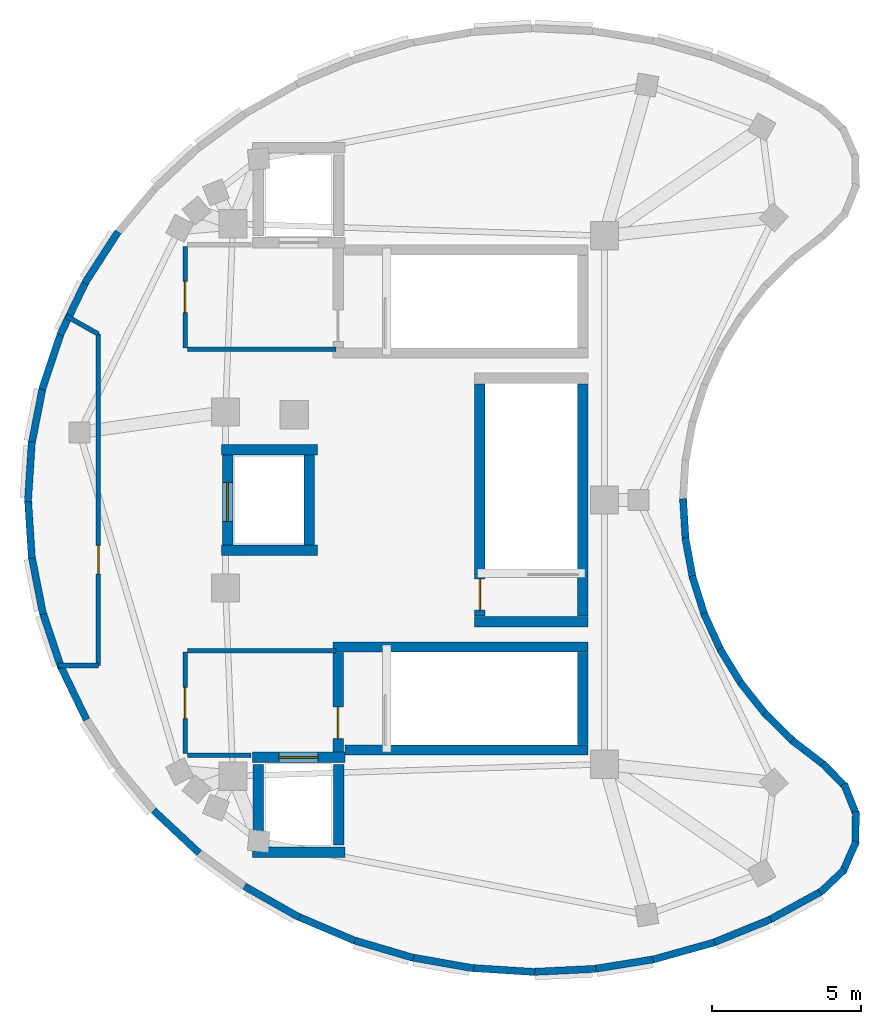
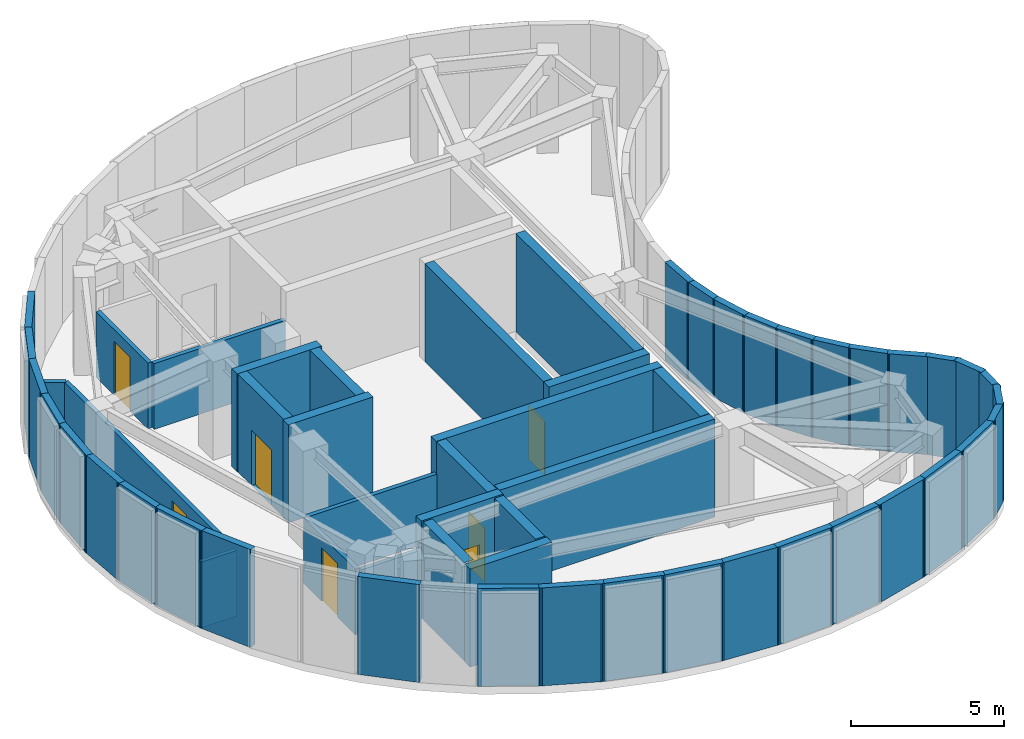
# One storey, part 2 of 4: 56 walls, 7 doors, 7 openings.
"""IFC4 building model written with IfcOpenShell, lengths in metres."""

from ifc_helpers import new_model, si_unit, direction, frame, frame_2d, origin, place, context, subcontext, project, spatial, rectangle, extrude, material, layer, layer_set, type_object, element, fill, save


model = new_model("IFC4")

# Units and contexts
model_context = context("Model", 3, precision=1e-05, world=origin(), true_north=direction((0.0, 1.0)))
body_context = subcontext(model_context, "Body", "Model", "MODEL_VIEW")
ifc_project = project(units=[si_unit("LENGTHUNIT", "METRE"), si_unit("AREAUNIT", "SQUARE_METRE"), si_unit("VOLUMEUNIT", "CUBIC_METRE"), si_unit("PLANEANGLEUNIT", "RADIAN"), si_unit("MASSUNIT", "GRAM", prefix="KILO")], contexts=[model_context])

# Site, building, storey
site_placement = place(None, origin())
site = spatial("IfcSite", under=ifc_project, at=site_placement, CompositionType="ELEMENT")
building_placement = place(site_placement, origin())
building = spatial("IfcBuilding", under=site, at=building_placement, Name="Korentha Bioscience Tower", CompositionType="ELEMENT")
storey_placement = place(building_placement, frame((0.0, 0.0, 339.60009765625)))
storey = spatial("IfcBuildingStorey", under=building, at=storey_placement, Name="L78", CompositionType="ELEMENT", Elevation=339.60009765625)

# Wall, opening, door
ifc_material_1 = material(Name="Gypsum-Clad Steel Stud", Category="steel")
ifc_layer_1 = layer(ifc_material_1, 0.159912109375, Name="Gypsum-Clad Steel Stud")
ifc_layer_set_1 = layer_set([ifc_layer_1], Name="Gypsum-Clad Steel Stud (IW-C160)")
wall_type_1 = type_object("IfcWallType", Name="Fire-Rated Corridor Partition Wall 160", PredefinedType="PARTITIONING", material=ifc_layer_set_1)
wall_1_placement = place(storey_placement, frame((23.5, 32.10009765625, 0.0), z_axis=(0.0, 0.0, 1.0), x_axis=(0.0, 1.0, 0.0)))
wall_1 = element("IfcWall", 1, at=wall_1_placement, inside=storey, type_object=wall_type_1, Name="L78 FFLN-CW Rated Enclosure Wall", PredefinedType="PARTITIONING", context=body_context, shape_type="SweptSolid", body=[
    extrude(rectangle(XDim=3.39990234375, YDim=0.159912109375, at=frame_2d((1.699951171875, 0.0))), origin(), (0.0, 0.0, 1.0), 2.6298828125),
])
opening_1_placement = place(wall_1_placement, frame((1.175048828125, 0.0, 0.0)))
opening_1 = element("IfcOpeningElement", 2, at=opening_1_placement, cuts=wall_1, Name="Opening FD-90L", PredefinedType="OPENING", context=body_context, shape_type="SweptSolid", body=[
    extrude(rectangle(XDim=1.050048828125, YDim=2.14990234375, at=frame_2d((0.52490234375, 1.074951171875))), frame((0.0, 0.0947265625, 0.0), z_axis=(0.0, -1.0, 0.0), x_axis=(1.0, 0.0, 0.0)), (0.0, 0.0, 1.0), 0.189697265625),
])
ifc_material_2 = material(Name="Powder-Coated Fire-Rated Steel", Category="steel")
door_type_1 = type_object("IfcDoorType", Name="Stairwell Fire Exit Door 1050x2150 Left", OperationType="SINGLE_SWING_LEFT", PredefinedType="DOOR", material=ifc_material_2)
door_1_placement = place(opening_1_placement, origin())
door_1 = element("IfcDoor", 3, at=door_1_placement, inside=storey, type_object=door_type_1, Name="L78 North Firefighting Lobby Door", OperationType="SINGLE_SWING_LEFT", OverallHeight=2.14990234375, OverallWidth=1.050048828125, PredefinedType="DOOR", context=body_context, shape_type="SweptSolid", body=[
    extrude(rectangle(XDim=1.050048828125, YDim=2.14990234375, at=frame_2d((0.52490234375, 1.074951171875))), frame((0.0, 0.02490234375, 0.0), z_axis=(0.0, -1.0, 0.0), x_axis=(1.0, 0.0, 0.0)), (0.0, 0.0, 1.0), 0.050048828125),
])
fill(opening_1, door_1)

wall_2_placement = place(storey_placement, frame((23.5, 18.5, 0.0), z_axis=(0.0, 0.0, 1.0), x_axis=(0.0, 1.0, 0.0)))
wall_2 = element("IfcWall", 4, at=wall_2_placement, inside=storey, type_object=wall_type_1, Name="L78 FFLS-CW Rated Enclosure Wall", PredefinedType="PARTITIONING", context=body_context, shape_type="SweptSolid", body=[
    extrude(rectangle(XDim=3.39990234375, YDim=0.159912109375, at=frame_2d((1.699951171875, 0.0))), origin(), (0.0, 0.0, 1.0), 2.6298828125),
])
opening_2_placement = place(wall_2_placement, frame((1.175048828125, 0.0, 0.0)))
opening_2 = element("IfcOpeningElement", 5, at=opening_2_placement, cuts=wall_2, Name="Opening FD-90L", PredefinedType="OPENING", context=body_context, shape_type="SweptSolid", body=[
    extrude(rectangle(XDim=1.050048828125, YDim=2.14990234375, at=frame_2d((0.52490234375, 1.074951171875))), frame((0.0, 0.0947265625, 0.0), z_axis=(0.0, -1.0, 0.0), x_axis=(1.0, 0.0, 0.0)), (0.0, 0.0, 1.0), 0.189697265625),
])
door_2_placement = place(opening_2_placement, origin())
door_2 = element("IfcDoor", 6, at=door_2_placement, inside=storey, type_object=door_type_1, Name="L78 South Firefighting Lobby Door", OperationType="SINGLE_SWING_LEFT", OverallHeight=2.14990234375, OverallWidth=1.050048828125, PredefinedType="DOOR", context=body_context, shape_type="SweptSolid", body=[
    extrude(rectangle(XDim=1.050048828125, YDim=2.14990234375, at=frame_2d((0.52490234375, 1.074951171875))), frame((0.0, 0.02490234375, 0.0), z_axis=(0.0, -1.0, 0.0), x_axis=(1.0, 0.0, 0.0)), (0.0, 0.0, 1.0), 0.050048828125),
])
fill(opening_2, door_2)

# Walls
for number, where, z_axis, x_axis, name in (
    (7, (23.580078125, 32.050048828125, 0.0), (0.0, 0.0, 1.0), (1.0, 0.0, 0.0), "L78 Firefighting Lobby Return Wall FFLN-S"),
    (8, (23.580078125, 21.949951171875, 0.0), (0.0, 0.0, 1.0), (1.0, 0.0, 0.0), "L78 Firefighting Lobby Return Wall FFLS-N"),
):
    element("IfcWall", number, at=place(storey_placement, frame(where, z_axis=z_axis, x_axis=x_axis)), inside=storey, type_object=wall_type_1, Name=name, PredefinedType="PARTITIONING", context=body_context, shape_type="SweptSolid", body=[
        extrude(rectangle(XDim=4.969970703125, YDim=0.159912109375, at=frame_2d((2.48486328125, 0.0))), origin(), (0.0, 0.0, 1.0), 2.6298828125),
    ])
wall_3_placement = place(storey_placement, frame((23.580078125, 18.449951171875, 0.0), z_axis=(0.0, 0.0, 1.0), x_axis=(1.0, 0.0, 0.0)))
element("IfcWall", 9, at=wall_3_placement, inside=storey, type_object=wall_type_1, Name="L78 Firefighting Lobby Return Wall FFLS-S", PredefinedType="PARTITIONING", context=body_context, shape_type="SweptSolid", body=[
    extrude(rectangle(XDim=2.119873046875, YDim=0.159912109375, at=frame_2d((1.06005859375, 0.0))), origin(), (0.0, 0.0, 1.0), 2.6298828125),
])

# Wall, opening, door
wall_4_placement = place(storey_placement, frame((20.590087890625, 32.558837890625, 0.0), z_axis=(0.0, 0.0, 1.0), x_axis=(0.0, -1.0, 0.0)))
wall_4 = element("IfcWall", 10, at=wall_4_placement, inside=storey, type_object=wall_type_1, Name="L78 Laboratory Make-Up Air Handling Plant 01 Entrance Wall", PredefinedType="PARTITIONING", context=body_context, shape_type="SweptSolid", body=[
    extrude(rectangle(XDim=11.10693359375, YDim=0.159912109375, at=frame_2d((5.553466796875, 0.0))), origin(), (0.0, 0.0, 1.0), 2.6298828125),
])
opening_3_placement = place(wall_4_placement, frame((7.080078125, 0.0, 0.0)))
opening_3 = element("IfcOpeningElement", 11, at=opening_3_placement, cuts=wall_4, Name="Opening FD-120D", PredefinedType="OPENING", context=body_context, shape_type="SweptSolid", body=[
    extrude(rectangle(XDim=0.949951171875, YDim=2.14990234375, at=frame_2d((0.47509765625, 1.074951171875))), frame((0.0, 0.0947265625, 0.0), z_axis=(0.0, -1.0, 0.0), x_axis=(1.0, 0.0, 0.0)), (0.0, 0.0, 1.0), 0.189697265625),
])
ifc_material_3 = material(Name="Heavy-Duty Insulated Steel", Category="steel")
door_type_2 = type_object("IfcDoorType", Name="Plant & Riser Fire Door 950x2150 Left", OperationType="SINGLE_SWING_LEFT", PredefinedType="DOOR", material=ifc_material_3)
door_3_placement = place(opening_3_placement, origin())
door_3 = element("IfcDoor", 12, at=door_3_placement, inside=storey, type_object=door_type_2, Name="L78 Laboratory Make-Up Air Handling Plant 01 Door", OperationType="SINGLE_SWING_LEFT", OverallHeight=2.14990234375, OverallWidth=0.949951171875, PredefinedType="DOOR", context=body_context, shape_type="SweptSolid", body=[
    extrude(rectangle(XDim=0.949951171875, YDim=2.14990234375, at=frame_2d((0.47509765625, 1.074951171875))), frame((0.0, 0.02490234375, 0.0), z_axis=(0.0, -1.0, 0.0), x_axis=(1.0, 0.0, 0.0)), (0.0, 0.0, 1.0), 0.050048828125),
])
fill(opening_3, door_3)

# Walls
wall_5_placement = place(storey_placement, frame((19.506591796875, 33.1669921875, 0.0), z_axis=(0.0, 0.0, 1.0), x_axis=(0.872026455492, -0.489458742819, 0.0)))
element("IfcWall", 13, at=wall_5_placement, inside=storey, type_object=wall_type_1, Name="L78 Interior Partition 002", PredefinedType="PARTITIONING", context=body_context, shape_type="SweptSolid", body=[
    extrude(rectangle(XDim=1.242431640625, YDim=0.159912109375, at=frame_2d((0.62109375, 0.0))), origin(), (0.0, 0.0, 1.0), 2.6298828125),
])
wall_6_placement = place(storey_placement, frame((20.590087890625, 21.451904296875, 0.0), z_axis=(0.0, 0.0, 1.0), x_axis=(-1.0, 0.0, 0.0)))
element("IfcWall", 14, at=wall_6_placement, inside=storey, type_object=wall_type_1, Name="L78 Interior Partition 003", PredefinedType="PARTITIONING", context=body_context, shape_type="SweptSolid", body=[
    extrude(rectangle(XDim=1.352783203125, YDim=0.159912109375, at=frame_2d((0.67626953125, 0.0))), origin(), (0.0, 0.0, 1.0), 2.6298828125),
])
ifc_material_4 = material(Name="Insulated Precast Concrete C40", Category="concrete")
ifc_layer_2 = layer(ifc_material_4, 0.239990234375, Name="Insulated Precast Concrete C40")
ifc_layer_set_2 = layer_set([ifc_layer_2], Name="Insulated Precast Concrete C40 (EW-PL240)")
wall_type_2 = type_object("IfcWallType", Name="Plant Acoustic Louvre Backup Wall 240", PredefinedType="STANDARD", material=ifc_layer_set_2)
wall_7_placement = place(storey_placement, frame((21.254638671875, 35.98681640625, 0.0), z_axis=(0.0, 0.0, 1.0), x_axis=(-0.54368472545, -0.839289532469, 0.0)))
element("IfcWall", 15, at=wall_7_placement, inside=storey, type_object=wall_type_2, Name="L78 Plant Louvre Backup Wall 14", PredefinedType="STANDARD", context=body_context, shape_type="SweptSolid", body=[
    extrude(rectangle(XDim=2.054931640625, YDim=0.239990234375, at=frame_2d((1.02734375, 0.0))), origin(), (0.0, 0.0, 1.0), 3.919921875),
])
wall_8_placement = place(storey_placement, frame((20.193603515625, 34.3623046875, 0.0), z_axis=(0.0, 0.0, 1.0), x_axis=(-0.43443443496, -0.90070345937, 0.0)))
element("IfcWall", 16, at=wall_8_placement, inside=storey, type_object=wall_type_2, Name="L78 Plant Louvre Backup Wall 15", PredefinedType="STANDARD", context=body_context, shape_type="SweptSolid", body=[
    extrude(rectangle(XDim=2.0400390625, YDim=0.239990234375, at=frame_2d((1.02001953125, 0.0))), origin(), (0.0, 0.0, 1.0), 3.919921875),
])
wall_9_placement = place(storey_placement, frame((19.3505859375, 32.631591796875, 0.0), z_axis=(0.0, 0.0, 1.0), x_axis=(-0.31687782103, -0.948466365529, 0.0)))
element("IfcWall", 17, at=wall_9_placement, inside=storey, type_object=wall_type_2, Name="L78 Plant Louvre Backup Wall 16", PredefinedType="STANDARD", context=body_context, shape_type="SweptSolid", body=[
    extrude(rectangle(XDim=2.02783203125, YDim=0.239990234375, at=frame_2d((1.013916015625, 0.0))), origin(), (0.0, 0.0, 1.0), 3.919921875),
])
wall_10_placement = place(storey_placement, frame((18.737548828125, 30.819580078125, 0.0), z_axis=(0.0, 0.0, 1.0), x_axis=(-0.19285964679, -0.981226353417, 0.0)))
element("IfcWall", 18, at=wall_10_placement, inside=storey, type_object=wall_type_2, Name="L78 Plant Louvre Backup Wall 17", PredefinedType="STANDARD", context=body_context, shape_type="SweptSolid", body=[
    extrude(rectangle(XDim=2.01904296875, YDim=0.239990234375, at=frame_2d((1.009521484375, 0.0))), origin(), (0.0, 0.0, 1.0), 3.919921875),
])
for number, where, z_axis, x_axis, name in (
    (19, (18.363037109375, 28.952880859375, 0.0), (0.0, 0.0, 1.0), (-0.064829937448, -0.997896326885, 0.0), "L78 Plant Louvre Backup Wall 18"),
    (20, (18.232421875, 27.0576171875, 0.0), (0.0, 0.0, 1.0), (0.064829937448, -0.997896326885, 0.0), "L78 Plant Louvre Backup Wall 19"),
):
    element("IfcWall", number, at=place(storey_placement, frame(where, z_axis=z_axis, x_axis=x_axis)), inside=storey, type_object=wall_type_2, Name=name, PredefinedType="STANDARD", context=body_context, shape_type="SweptSolid", body=[
        extrude(rectangle(XDim=2.0146484375, YDim=0.239990234375, at=frame_2d((1.00732421875, 0.0))), origin(), (0.0, 0.0, 1.0), 3.919921875),
    ])
wall_11_placement = place(storey_placement, frame((18.34814453125, 25.16162109375, 0.0), z_axis=(0.0, 0.0, 1.0), x_axis=(0.19285964679, -0.981226353417, 0.0)))
element("IfcWall", 21, at=wall_11_placement, inside=storey, type_object=wall_type_2, Name="L78 Plant Louvre Backup Wall 20", PredefinedType="STANDARD", context=body_context, shape_type="SweptSolid", body=[
    extrude(rectangle(XDim=2.01904296875, YDim=0.239990234375, at=frame_2d((1.009521484375, 0.0))), origin(), (0.0, 0.0, 1.0), 3.919921875),
])
wall_12_placement = place(storey_placement, frame((18.7080078125, 23.291748046875, 0.0), z_axis=(0.0, 0.0, 1.0), x_axis=(0.31687782103, -0.948466365529, 0.0)))
element("IfcWall", 22, at=wall_12_placement, inside=storey, type_object=wall_type_2, Name="L78 Plant Louvre Backup Wall 21", PredefinedType="STANDARD", context=body_context, shape_type="SweptSolid", body=[
    extrude(rectangle(XDim=2.02783203125, YDim=0.239990234375, at=frame_2d((1.013916015625, 0.0))), origin(), (0.0, 0.0, 1.0), 3.919921875),
])
wall_13_placement = place(storey_placement, frame((19.307373046875, 21.47509765625, 0.0), z_axis=(0.0, 0.0, 1.0), x_axis=(0.43443443496, -0.90070345937, 0.0)))
element("IfcWall", 23, at=wall_13_placement, inside=storey, type_object=wall_type_2, Name="L78 Plant Louvre Backup Wall 22", PredefinedType="STANDARD", context=body_context, shape_type="SweptSolid", body=[
    extrude(rectangle(XDim=2.0400390625, YDim=0.239990234375, at=frame_2d((1.02001953125, 0.0))), origin(), (0.0, 0.0, 1.0), 3.919921875),
])
wall_14_placement = place(storey_placement, frame((22.439208984375, 16.60107421875, 0.0), z_axis=(0.0, 0.0, 1.0), x_axis=(0.730538342308, -0.68287167932, 0.0)))
element("IfcWall", 24, at=wall_14_placement, inside=storey, type_object=wall_type_2, Name="L78 Plant Louvre Backup Wall 25", PredefinedType="STANDARD", context=body_context, shape_type="SweptSolid", body=[
    extrude(rectangle(XDim=2.089599609375, YDim=0.239990234375, at=frame_2d((1.044921875, 0.0))), origin(), (0.0, 0.0, 1.0), 3.919921875),
])
wall_15_placement = place(storey_placement, frame((25.4814453125, 14.062255859375, 0.0), z_axis=(0.0, 0.0, 1.0), x_axis=(0.869823249447, -0.493363471207, 0.0)))
element("IfcWall", 25, at=wall_15_placement, inside=storey, type_object=wall_type_2, Name="L78 Plant Louvre Backup Wall 27", PredefinedType="STANDARD", context=body_context, shape_type="SweptSolid", body=[
    extrude(rectangle(XDim=2.123779296875, YDim=0.239990234375, at=frame_2d((1.06201171875, 0.0))), origin(), (0.0, 0.0, 1.0), 3.919921875),
])
wall_16_placement = place(storey_placement, frame((27.22705078125, 13.064697265625, 0.0), z_axis=(0.0, 0.0, 1.0), x_axis=(0.920708614344, -0.390250749483, 0.0)))
element("IfcWall", 26, at=wall_16_placement, inside=storey, type_object=wall_type_2, Name="L78 Plant Louvre Backup Wall 28", PredefinedType="STANDARD", context=body_context, shape_type="SweptSolid", body=[
    extrude(rectangle(XDim=2.13818359375, YDim=0.239990234375, at=frame_2d((1.069091796875, 0.0))), origin(), (0.0, 0.0, 1.0), 3.919921875),
])
wall_17_placement = place(storey_placement, frame((29.089111328125, 12.268310546875, 0.0), z_axis=(0.0, 0.0, 1.0), x_axis=(0.959030329597, -0.283303418464, 0.0)))
element("IfcWall", 27, at=wall_17_placement, inside=storey, type_object=wall_type_2, Name="L78 Plant Louvre Backup Wall 29", PredefinedType="STANDARD", context=body_context, shape_type="SweptSolid", body=[
    extrude(rectangle(XDim=2.150146484375, YDim=0.239990234375, at=frame_2d((1.0751953125, 0.0))), origin(), (0.0, 0.0, 1.0), 3.919921875),
])
wall_18_placement = place(storey_placement, frame((31.040771484375, 11.685302734375, 0.0), z_axis=(0.0, 0.0, 1.0), x_axis=(0.98475165837, -0.173966006268, 0.0)))
element("IfcWall", 28, at=wall_18_placement, inside=storey, type_object=wall_type_2, Name="L78 Plant Louvre Backup Wall 30", PredefinedType="STANDARD", context=body_context, shape_type="SweptSolid", body=[
    extrude(rectangle(XDim=2.158447265625, YDim=0.239990234375, at=frame_2d((1.0791015625, 0.0))), origin(), (0.0, 0.0, 1.0), 3.919921875),
])
wall_19_placement = place(storey_placement, frame((33.0537109375, 11.3232421875, 0.0), z_axis=(0.0, 0.0, 1.0), x_axis=(0.998014625109, -0.062982601313, 0.0)))
element("IfcWall", 29, at=wall_19_placement, inside=storey, type_object=wall_type_2, Name="L78 Plant Louvre Backup Wall 31", PredefinedType="STANDARD", context=body_context, shape_type="SweptSolid", body=[
    extrude(rectangle(XDim=2.1630859375, YDim=0.239990234375, at=frame_2d((1.08154296875, 0.0))), origin(), (0.0, 0.0, 1.0), 3.919921875),
])
wall_20_placement = place(storey_placement, frame((35.09912109375, 11.18798828125, 0.0), z_axis=(0.0, 0.0, 1.0), x_axis=(0.998821443964, 0.048535791717, 0.0)))
element("IfcWall", 30, at=wall_20_placement, inside=storey, type_object=wall_type_2, Name="L78 Plant Louvre Backup Wall 32", PredefinedType="STANDARD", context=body_context, shape_type="SweptSolid", body=[
    extrude(rectangle(XDim=2.162841796875, YDim=0.239990234375, at=frame_2d((1.08154296875, 0.0))), origin(), (0.0, 0.0, 1.0), 3.919921875),
])
wall_21_placement = place(storey_placement, frame((37.14697265625, 11.28125, 0.0), z_axis=(0.0, 0.0, 1.0), x_axis=(0.987188885728, 0.159555958507, 0.0)))
element("IfcWall", 31, at=wall_21_placement, inside=storey, type_object=wall_type_2, Name="L78 Plant Louvre Backup Wall 33", PredefinedType="STANDARD", context=body_context, shape_type="SweptSolid", body=[
    extrude(rectangle(XDim=2.158935546875, YDim=0.239990234375, at=frame_2d((1.07958984375, 0.0))), origin(), (0.0, 0.0, 1.0), 3.919921875),
])
wall_22_placement = place(storey_placement, frame((39.16748046875, 11.6015625, 0.0), z_axis=(0.0, 0.0, 1.0), x_axis=(0.963062950867, 0.269276349995, 0.0)))
element("IfcWall", 32, at=wall_22_placement, inside=storey, type_object=wall_type_2, Name="L78 Plant Louvre Backup Wall 34", PredefinedType="STANDARD", context=body_context, shape_type="SweptSolid", body=[
    extrude(rectangle(XDim=2.151611328125, YDim=0.239990234375, at=frame_2d((1.07568359375, 0.0))), origin(), (0.0, 0.0, 1.0), 3.919921875),
])
wall_23_placement = place(storey_placement, frame((41.132080078125, 12.144287109375, 0.0), z_axis=(0.0, 0.0, 1.0), x_axis=(0.926393219555, 0.376557568988, 0.0)))
element("IfcWall", 33, at=wall_23_placement, inside=storey, type_object=wall_type_2, Name="L78 Plant Louvre Backup Wall 35", PredefinedType="STANDARD", context=body_context, shape_type="SweptSolid", body=[
    extrude(rectangle(XDim=2.14013671875, YDim=0.239990234375, at=frame_2d((1.070068359375, 0.0))), origin(), (0.0, 0.0, 1.0), 3.919921875),
])
wall_24_placement = place(storey_placement, frame((43.01220703125, 12.901611328125, 0.0), z_axis=(0.0, 0.0, 1.0), x_axis=(0.877104331714, 0.480299897241, 0.0)))
element("IfcWall", 34, at=wall_24_placement, inside=storey, type_object=wall_type_2, Name="L78 Plant Louvre Backup Wall 36", PredefinedType="STANDARD", context=body_context, shape_type="SweptSolid", body=[
    extrude(rectangle(XDim=2.125732421875, YDim=0.239990234375, at=frame_2d((1.06298828125, 0.0))), origin(), (0.0, 0.0, 1.0), 3.919921875),
])
wall_25_placement = place(storey_placement, frame((44.771728515625, 13.84619140625, 0.0), z_axis=(0.0, 0.0, 1.0), x_axis=(0.726131874639, 0.68755545277, 0.0)))
element("IfcWall", 35, at=wall_25_placement, inside=storey, type_object=wall_type_2, Name="L78 Plant Louvre Backup Wall 37", PredefinedType="STANDARD", context=body_context, shape_type="SweptSolid", body=[
    extrude(rectangle(XDim=1.1455078125, YDim=0.239990234375, at=frame_2d((0.57275390625, 0.0))), origin(), (0.0, 0.0, 1.0), 3.919921875),
])
for number, where, z_axis, x_axis, name in (
    (36, (45.519775390625, 14.514892578125, 0.0), (0.0, 0.0, 1.0), (0.40313130284, 0.915142148888, 0.0), "L78 Plant Louvre Backup Wall 38"),
    (37, (45.95068359375, 15.42138671875, 0.0), (0.0, 0.0, 1.0), (0.017047820552, 0.999854675348, 0.0), "L78 Plant Louvre Backup Wall 39"),
):
    element("IfcWall", number, at=place(storey_placement, frame(where, z_axis=z_axis, x_axis=x_axis)), inside=storey, type_object=wall_type_2, Name=name, PredefinedType="STANDARD", context=body_context, shape_type="SweptSolid", body=[
        extrude(rectangle(XDim=1.145751953125, YDim=0.239990234375, at=frame_2d((0.57275390625, 0.0))), origin(), (0.0, 0.0, 1.0), 3.919921875),
    ])
for number, where, z_axis, x_axis, name in (
    (38, (45.99658203125, 16.423828125, 0.0), (0.0, 0.0, 1.0), (-0.371684619002, 0.928359059846, 0.0), "L78 Plant Louvre Backup Wall 40"),
    (39, (45.650390625, 17.36572265625, 0.0), (0.0, 0.0, 1.0), (-0.702188326868, 0.711991259504, 0.0), "L78 Plant Louvre Backup Wall 41"),
):
    element("IfcWall", number, at=place(storey_placement, frame(where, z_axis=z_axis, x_axis=x_axis)), inside=storey, type_object=wall_type_2, Name=name, PredefinedType="STANDARD", context=body_context, shape_type="SweptSolid", body=[
        extrude(rectangle(XDim=1.1455078125, YDim=0.239990234375, at=frame_2d((0.57275390625, 0.0))), origin(), (0.0, 0.0, 1.0), 3.919921875),
    ])
for number, where, z_axis, x_axis, name in (
    (40, (44.93310546875, 18.1044921875, 0.0), (0.0, 0.0, 1.0), (-0.793340854113, 0.608777700967, 0.0), "L78 Plant Louvre Backup Wall 42"),
    (41, (43.8935546875, 18.895751953125, 0.0), (0.0, 0.0, 1.0), (-0.713307196779, 0.700851512821, 0.0), "L78 Plant Louvre Backup Wall 43"),
    (42, (42.957763671875, 19.807861328125, 0.0), (0.0, 0.0, 1.0), (-0.622467396211, 0.782645731257, 0.0), "L78 Plant Louvre Backup Wall 44"),
    (43, (42.140380859375, 20.8271484375, 0.0), (0.0, 0.0, 1.0), (-0.522471546172, 0.85265672075, 0.0), "L78 Plant Louvre Backup Wall 45"),
    (44, (41.453125, 21.9384765625, 0.0), (0.0, 0.0, 1.0), (-0.41456945509, 0.910017673953, 0.0), "L78 Plant Louvre Backup Wall 46"),
    (45, (40.90673828125, 23.125244140625, 0.0), (0.0, 0.0, 1.0), (-0.300711509851, 0.953715150264, 0.0), "L78 Plant Louvre Backup Wall 47"),
):
    element("IfcWall", number, at=place(storey_placement, frame(where, z_axis=z_axis, x_axis=x_axis)), inside=storey, type_object=wall_type_2, Name=name, PredefinedType="STANDARD", context=body_context, shape_type="SweptSolid", body=[
        extrude(rectangle(XDim=1.3916015625, YDim=0.239990234375, at=frame_2d((0.69580078125, 0.0))), origin(), (0.0, 0.0, 1.0), 3.919921875),
    ])
wall_26_placement = place(storey_placement, frame((40.5087890625, 24.369873046875, 0.0), z_axis=(0.0, 0.0, 1.0), x_axis=(-0.182126958243, 0.983275023115, 0.0)))
element("IfcWall", 46, at=wall_26_placement, inside=storey, type_object=wall_type_2, Name="L78 Plant Louvre Backup Wall 48", PredefinedType="STANDARD", context=body_context, shape_type="SweptSolid", body=[
    extrude(rectangle(XDim=1.391357421875, YDim=0.239990234375, at=frame_2d((0.69580078125, 0.0))), origin(), (0.0, 0.0, 1.0), 3.919921875),
])
wall_27_placement = place(storey_placement, frame((40.265625, 25.653564453125, 0.0), z_axis=(0.0, 0.0, 1.0), x_axis=(-0.061056554622, 0.998134308166, 0.0)))
element("IfcWall", 47, at=wall_27_placement, inside=storey, type_object=wall_type_2, Name="L78 Plant Louvre Backup Wall 49", PredefinedType="STANDARD", context=body_context, shape_type="SweptSolid", body=[
    extrude(rectangle(XDim=1.3916015625, YDim=0.239990234375, at=frame_2d((0.69580078125, 0.0))), origin(), (0.0, 0.0, 1.0), 3.919921875),
])
ifc_material_5 = material(Name="Concrete C50", Category="concrete")
ifc_layer_3 = layer(ifc_material_5, 0.35009765625, Name="Concrete C50")
ifc_layer_set_3 = layer_set([ifc_layer_3], Name="Concrete C50 (CW-C50)")
wall_type_3 = type_object("IfcWallType", Name="Upper Core Shear Wall 350", PredefinedType="SHEAR", material=ifc_layer_set_3)
wall_28_placement = place(storey_placement, frame((28.85205078125, 18.625, 0.0), z_axis=(0.0, 0.0, 1.0), x_axis=(1.0, 0.0, 0.0)))
element("IfcWall", 48, at=wall_28_placement, inside=storey, type_object=wall_type_3, Name="L78 Core Shear Wall ST2-S", PredefinedType="SHEAR", context=body_context, shape_type="SweptSolid", body=[
    extrude(rectangle(XDim=8.14794921875, YDim=0.35009765625, at=frame_2d((4.073974609375, 0.0))), origin(), (0.0, 0.0, 1.0), 3.919921875),
])
wall_29_placement = place(storey_placement, frame((28.449951171875, 22.074951171875, 0.0), z_axis=(0.0, 0.0, 1.0), x_axis=(1.0, 0.0, 0.0)))
element("IfcWall", 49, at=wall_29_placement, inside=storey, type_object=wall_type_3, Name="L78 Core Shear Wall ST2-N", PredefinedType="SHEAR", context=body_context, shape_type="SweptSolid", body=[
    extrude(rectangle(XDim=8.550048828125, YDim=0.35009765625, at=frame_2d((4.27490234375, 0.0))), origin(), (0.0, 0.0, 1.0), 3.919921875),
])
wall_30_placement = place(storey_placement, frame((36.824951171875, 18.81005859375, 0.0), z_axis=(0.0, 0.0, 1.0), x_axis=(0.0, 1.0, 0.0)))
element("IfcWall", 50, at=wall_30_placement, inside=storey, type_object=wall_type_3, Name="L78 Core Shear Wall ST2-E", PredefinedType="SHEAR", context=body_context, shape_type="SweptSolid", body=[
    extrude(rectangle(XDim=3.079833984375, YDim=0.35009765625, at=frame_2d((1.5400390625, 0.0))), origin(), (0.0, 0.0, 1.0), 3.919921875),
])

# Wall, opening, door
wall_31_placement = place(storey_placement, frame((28.625, 18.556884765625, 0.0), z_axis=(0.0, 0.0, 1.0), x_axis=(0.0, 1.0, 0.0)))
wall_31 = element("IfcWall", 51, at=wall_31_placement, inside=storey, type_object=wall_type_3, Name="L78 Core Shear Wall ST2-W", PredefinedType="SHEAR", context=body_context, shape_type="SweptSolid", body=[
    extrude(rectangle(XDim=3.3330078125, YDim=0.35009765625, at=frame_2d((1.66650390625, 0.0))), origin(), (0.0, 0.0, 1.0), 3.919921875),
])
opening_4_placement = place(wall_31_placement, frame((0.452880859375, 0.0, 0.0)))
opening_4 = element("IfcOpeningElement", 52, at=opening_4_placement, cuts=wall_31, Name="Opening FD-90L", PredefinedType="OPENING", context=body_context, shape_type="SweptSolid", body=[
    extrude(rectangle(XDim=1.050048828125, YDim=2.14990234375, at=frame_2d((0.52490234375, 1.074951171875))), frame((0.0, 0.18994140625, 0.0), z_axis=(0.0, -1.0, 0.0), x_axis=(1.0, 0.0, 0.0)), (0.0, 0.0, 1.0), 0.3798828125),
])
door_4_placement = place(opening_4_placement, origin())
door_4 = element("IfcDoor", 53, at=door_4_placement, inside=storey, type_object=door_type_1, Name="L78 ST-2 Fire Exit Stair Door", OperationType="SINGLE_SWING_LEFT", OverallHeight=2.14990234375, OverallWidth=1.050048828125, PredefinedType="DOOR", context=body_context, shape_type="SweptSolid", body=[
    extrude(rectangle(XDim=1.050048828125, YDim=2.14990234375, at=frame_2d((0.52490234375, 1.074951171875))), frame((0.0, 0.02490234375, 0.0), z_axis=(0.0, -1.0, 0.0), x_axis=(1.0, 0.0, 0.0)), (0.0, 0.0, 1.0), 0.050048828125),
])
fill(opening_4, door_4)

# Walls
wall_32_placement = place(storey_placement, frame((33.199951171875, 22.925048828125, 0.0), z_axis=(0.0, 0.0, 1.0), x_axis=(1.0, 0.0, 0.0)))
element("IfcWall", 54, at=wall_32_placement, inside=storey, type_object=wall_type_3, Name="L78 Core Shear Wall ST3-S", PredefinedType="SHEAR", context=body_context, shape_type="SweptSolid", body=[
    extrude(rectangle(XDim=3.800048828125, YDim=0.35009765625, at=frame_2d((1.89990234375, 0.0))), origin(), (0.0, 0.0, 1.0), 3.919921875),
])
wall_33_placement = place(storey_placement, frame((36.824951171875, 23.110107421875, 0.0), z_axis=(0.0, 0.0, 1.0), x_axis=(0.0, 1.0, 0.0)))
element("IfcWall", 55, at=wall_33_placement, inside=storey, type_object=wall_type_3, Name="L78 Core Shear Wall ST3-E", PredefinedType="SHEAR", context=body_context, shape_type="SweptSolid", body=[
    extrude(rectangle(XDim=7.77978515625, YDim=0.35009765625, at=frame_2d((3.889892578125, 0.0))), origin(), (0.0, 0.0, 1.0), 3.919921875),
])

# Wall, opening, door
wall_34_placement = place(storey_placement, frame((33.375, 23.110107421875, 0.0), z_axis=(0.0, 0.0, 1.0), x_axis=(0.0, 1.0, 0.0)))
wall_34 = element("IfcWall", 56, at=wall_34_placement, inside=storey, type_object=wall_type_3, Name="L78 Core Shear Wall ST3-W", PredefinedType="SHEAR", context=body_context, shape_type="SweptSolid", body=[
    extrude(rectangle(XDim=7.77978515625, YDim=0.35009765625, at=frame_2d((3.889892578125, 0.0))), origin(), (0.0, 0.0, 1.0), 3.919921875),
])
opening_5_placement = place(wall_34_placement, frame((0.199951171875, 0.0, 0.0)))
opening_5 = element("IfcOpeningElement", 57, at=opening_5_placement, cuts=wall_34, Name="Opening FD-90L", PredefinedType="OPENING", context=body_context, shape_type="SweptSolid", body=[
    extrude(rectangle(XDim=1.050048828125, YDim=2.14990234375, at=frame_2d((0.52490234375, 1.074951171875))), frame((0.0, 0.18994140625, 0.0), z_axis=(0.0, -1.0, 0.0), x_axis=(1.0, 0.0, 0.0)), (0.0, 0.0, 1.0), 0.3798828125),
])
door_5_placement = place(opening_5_placement, origin())
door_5 = element("IfcDoor", 58, at=door_5_placement, inside=storey, type_object=door_type_1, Name="L78 ST-3 Fire Exit Stair Door", OperationType="SINGLE_SWING_LEFT", OverallHeight=2.14990234375, OverallWidth=1.050048828125, PredefinedType="DOOR", context=body_context, shape_type="SweptSolid", body=[
    extrude(rectangle(XDim=1.050048828125, YDim=2.14990234375, at=frame_2d((0.52490234375, 1.074951171875))), frame((0.0, 0.02490234375, 0.0), z_axis=(0.0, -1.0, 0.0), x_axis=(1.0, 0.0, 0.0)), (0.0, 0.0, 1.0), 0.050048828125),
])
fill(opening_5, door_5)

# Wall
wall_35_placement = place(storey_placement, frame((25.75, 15.199951171875, 0.0), z_axis=(0.0, 0.0, 1.0), x_axis=(1.0, 0.0, 0.0)))
element("IfcWall", 59, at=wall_35_placement, inside=storey, type_object=wall_type_3, Name="L78 Core Shear Wall FFL1-S", PredefinedType="SHEAR", context=body_context, shape_type="SweptSolid", body=[
    extrude(rectangle(XDim=3.10009765625, YDim=0.35009765625, at=frame_2d((1.550048828125, 0.0))), origin(), (0.0, 0.0, 1.0), 3.919921875),
])

# Wall, opening, door
wall_36_placement = place(storey_placement, frame((25.75, 18.3798828125, 0.0), z_axis=(0.0, 0.0, 1.0), x_axis=(1.0, 0.0, 0.0)))
wall_36 = element("IfcWall", 60, at=wall_36_placement, inside=storey, type_object=wall_type_3, Name="L78 Core Shear Wall FFL1-N", PredefinedType="SHEAR", context=body_context, shape_type="SweptSolid", body=[
    extrude(rectangle(XDim=3.10009765625, YDim=0.35009765625, at=frame_2d((1.550048828125, 0.0))), origin(), (0.0, 0.0, 1.0), 3.919921875),
])
opening_6_placement = place(wall_36_placement, frame((0.89990234375, 0.0, 0.0)))
opening_6 = element("IfcOpeningElement", 61, at=opening_6_placement, cuts=wall_36, Name="Opening LD-13", PredefinedType="OPENING", context=body_context, shape_type="SweptSolid", body=[
    extrude(rectangle(XDim=1.300048828125, YDim=2.199951171875, at=frame_2d((0.64990234375, 1.10009765625))), frame((0.0, 0.18994140625, 0.0), z_axis=(0.0, -1.0, 0.0), x_axis=(1.0, 0.0, 0.0)), (0.0, 0.0, 1.0), 0.3798828125),
])
ifc_material_6 = material(Name="Brushed Stainless Steel 316", Category="steel")
door_type_3 = type_object("IfcDoorType", Name="Service & Firefighting Lift Landing Door 1300x2300", OperationType="DOUBLE_DOOR_SLIDING", PredefinedType="DOOR", material=ifc_material_6)
door_6_placement = place(opening_6_placement, origin())
door_6 = element("IfcDoor", 62, at=door_6_placement, inside=storey, type_object=door_type_3, Name="L78 FFL-1 Sliding Lift Landing Door", OperationType="DOUBLE_DOOR_SLIDING", OverallHeight=2.199951171875, OverallWidth=1.300048828125, PredefinedType="DOOR", context=body_context, shape_type="SweptSolid", body=[
    extrude(rectangle(XDim=1.300048828125, YDim=2.199951171875, at=frame_2d((0.64990234375, 1.10009765625))), frame((0.0, 0.02490234375, 0.0), z_axis=(0.0, -1.0, 0.0), x_axis=(1.0, 0.0, 0.0)), (0.0, 0.0, 1.0), 0.050048828125),
])
fill(opening_6, door_6)

# Walls
for number, where, z_axis, x_axis, name in (
    (63, (25.949951171875, 15.43994140625, 0.0), (0.0, 0.0, 1.0), (0.0, 1.0, 0.0), "L78 Core Shear Wall FFL1-W"),
    (64, (28.64990234375, 15.43994140625, 0.0), (0.0, 0.0, 1.0), (0.0, 1.0, 0.0), "L78 Core Shear Wall FFL1-E"),
):
    element("IfcWall", number, at=place(storey_placement, frame(where, z_axis=z_axis, x_axis=x_axis)), inside=storey, type_object=wall_type_3, Name=name, PredefinedType="SHEAR", context=body_context, shape_type="SweptSolid", body=[
        extrude(rectangle(XDim=2.699951171875, YDim=0.35009765625, at=frame_2d((1.35009765625, 0.0))), origin(), (0.0, 0.0, 1.0), 3.919921875),
    ])
for number, where, z_axis, x_axis, name in (
    (65, (24.719970703125, 28.679931640625, 0.0), (0.0, 0.0, 1.0), (1.0, 0.0, 0.0), "L78 Core Shear Wall SVL1-N"),
    (66, (24.719970703125, 25.320068359375, 0.0), (0.0, 0.0, 1.0), (1.0, 0.0, 0.0), "L78 Core Shear Wall SVL1-S"),
):
    element("IfcWall", number, at=place(storey_placement, frame(where, z_axis=z_axis, x_axis=x_axis)), inside=storey, type_object=wall_type_3, Name=name, PredefinedType="SHEAR", context=body_context, shape_type="SweptSolid", body=[
        extrude(rectangle(XDim=3.2099609375, YDim=0.35009765625, at=frame_2d((1.60498046875, 0.0))), origin(), (0.0, 0.0, 1.0), 3.919921875),
    ])

# Wall, opening, door
wall_37_placement = place(storey_placement, frame((24.919921875, 25.4970703125, 0.0), z_axis=(0.0, 0.0, 1.0), x_axis=(0.0, 1.0, 0.0)))
wall_37 = element("IfcWall", 67, at=wall_37_placement, inside=storey, type_object=wall_type_3, Name="L78 Core Shear Wall SVL1-W", PredefinedType="SHEAR", context=body_context, shape_type="SweptSolid", body=[
    extrude(rectangle(XDim=3.005859375, YDim=0.35009765625, at=frame_2d((1.5029296875, 0.0))), origin(), (0.0, 0.0, 1.0), 3.919921875),
])
opening_7_placement = place(wall_37_placement, frame((0.7900390625, 0.0, 0.0)))
opening_7 = element("IfcOpeningElement", 68, at=opening_7_placement, cuts=wall_37, Name="Opening LD-13", PredefinedType="OPENING", context=body_context, shape_type="SweptSolid", body=[
    extrude(rectangle(XDim=1.300048828125, YDim=2.199951171875, at=frame_2d((0.64990234375, 1.10009765625))), frame((0.0, 0.18994140625, 0.0), z_axis=(0.0, -1.0, 0.0), x_axis=(1.0, 0.0, 0.0)), (0.0, 0.0, 1.0), 0.3798828125),
])
door_7_placement = place(opening_7_placement, origin())
door_7 = element("IfcDoor", 69, at=door_7_placement, inside=storey, type_object=door_type_3, Name="L78 SVL-1 Sliding Lift Landing Door", OperationType="DOUBLE_DOOR_SLIDING", OverallHeight=2.199951171875, OverallWidth=1.300048828125, PredefinedType="DOOR", context=body_context, shape_type="SweptSolid", body=[
    extrude(rectangle(XDim=1.300048828125, YDim=2.199951171875, at=frame_2d((0.64990234375, 1.10009765625))), frame((0.0, 0.02490234375, 0.0), z_axis=(0.0, -1.0, 0.0), x_axis=(1.0, 0.0, 0.0)), (0.0, 0.0, 1.0), 0.050048828125),
])
fill(opening_7, door_7)

# Wall
wall_38_placement = place(storey_placement, frame((27.64990234375, 25.4970703125, 0.0), z_axis=(0.0, 0.0, 1.0), x_axis=(0.0, 1.0, 0.0)))
element("IfcWall", 70, at=wall_38_placement, inside=storey, type_object=wall_type_3, Name="L78 Core Shear Wall SVL1-E", PredefinedType="SHEAR", context=body_context, shape_type="SweptSolid", body=[
    extrude(rectangle(XDim=3.005859375, YDim=0.35009765625, at=frame_2d((1.5029296875, 0.0))), origin(), (0.0, 0.0, 1.0), 3.919921875),
])

save(model, "model.ifc")
